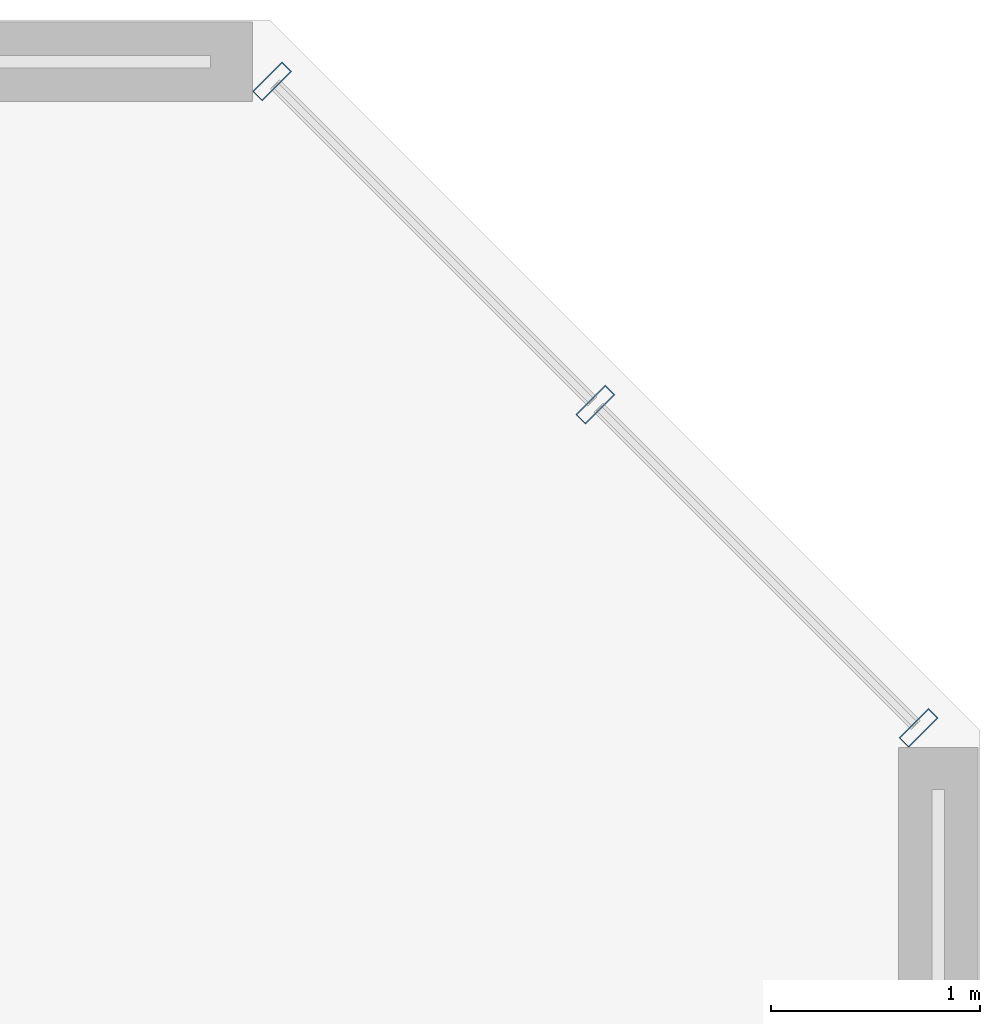
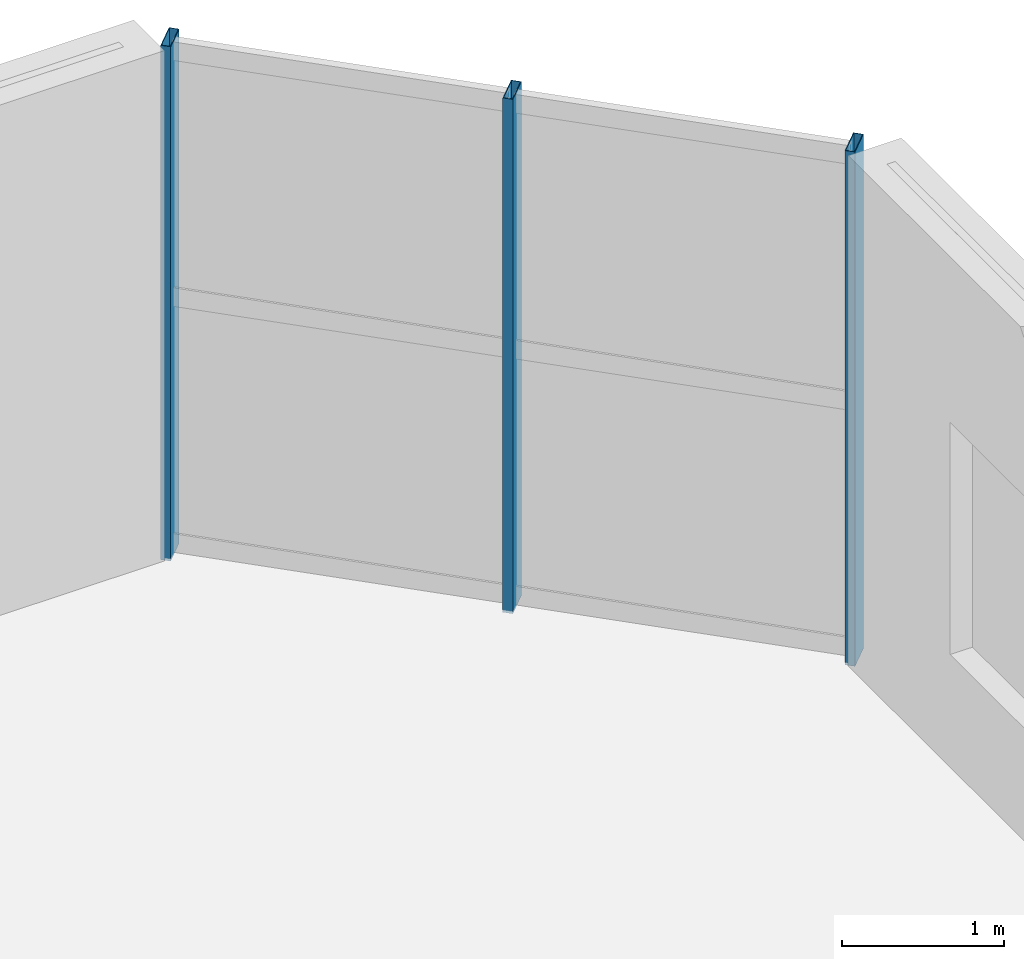
# One storey, part 8 of 22: 3 members, 1 element without a shape of its own.
"""IFC4 building model written with IfcOpenShell, lengths in metres."""

from ifc_helpers import new_model, si_unit, direction, frame, origin, origin_2d, place, context, subcontext, project, spatial, hollow_rectangle, extrude, source, transform, mapped, material, material_profile, profile_set, type_object, element, aggregate, save


model = new_model("IFC4")

# Units and contexts
model_context = context("Model", 3, precision=1e-05, world=origin(), true_north=direction((0.0, 1.0)))
body_context = subcontext(model_context, "Body", "Model", "MODEL_VIEW")
ifc_project = project(units=[si_unit("LENGTHUNIT", "METRE"), si_unit("AREAUNIT", "SQUARE_METRE"), si_unit("VOLUMEUNIT", "CUBIC_METRE"), si_unit("PLANEANGLEUNIT", "RADIAN"), si_unit("MASSUNIT", "GRAM", prefix="KILO")], contexts=[model_context])

# Site, building, storey
site_placement = place(None, origin())
site = spatial("IfcSite", under=ifc_project, at=site_placement, CompositionType="ELEMENT")
building_placement = place(site_placement, origin())
building = spatial("IfcBuilding", under=site, at=building_placement, Name="Tlacorven Tower", CompositionType="ELEMENT")
storey_placement = place(building_placement, frame((0.0, 0.0, 10.199951171875)))
storey = spatial("IfcBuildingStorey", under=building, at=storey_placement, Name="L02", CompositionType="ELEMENT", Elevation=10.199951171875)

# Curtain wall, members
ifc_material_1 = material(Name="Dark solar low-E double glazing in aluminium frame", Category="aluminium")
curtain_wall_type = type_object("IfcCurtainWallType", Name="CW-POD-CLINIC", PredefinedType="USERDEFINED", material=ifc_material_1)
curtain_wall_placement = place(storey_placement, origin())
curtain_wall = element("IfcCurtainWall", 1, at=curtain_wall_placement, inside=storey, type_object=curtain_wall_type, Name="L02 Podium Chamfer Curtain Wall 5", ObjectType="UNITISED CURTAIN WALL", PredefinedType="USERDEFINED")
ifc_material_2 = material(Name="Aluminium 6063-T6 anodised", Category="aluminium")
ifc_material_profile = material_profile(ifc_material_2, hollow_rectangle(XDim=0.06494140625, YDim=0.199951171875, WallThickness=0.00439453125, at=origin_2d()), Name="ALU MULLION 65X200")
ifc_profile_set = profile_set([ifc_material_profile], Name="Aluminium 6063-T6 anodised")
member_type = type_object("IfcMemberType", Name="CWM-02", PredefinedType="MULLION", material=ifc_profile_set)
shared_shape = source(origin(), body_context, "Body", "SweptSolid", [
    extrude(hollow_rectangle(XDim=0.06494140625, YDim=0.199951171875, WallThickness=0.00439453125, at=origin_2d()), origin(), (0.0, 0.0, 1.0), 3.880126953125),
])
member_1_placement = place(storey_placement, frame((67.2109375, 46.306396484375, -0.02001953125), z_axis=(0.0, 0.0, 1.0), x_axis=(0.707106781187, -0.707106781187, 0.0)))
member_1 = element("IfcMember", 2, at=member_1_placement, type_object=member_type, Name="CW-L02-011 Mullion 1", PredefinedType="MULLION", context=body_context, shape_type="MappedRepresentation", body=[
    mapped(shared_shape, transform((0.0, 0.0, 0.0), scale=1.0)),
])
member_2_placement = place(storey_placement, frame((68.758544921875, 44.758544921875, -0.02001953125), z_axis=(0.0, 0.0, 1.0), x_axis=(0.707106781187, -0.707106781187, 0.0)))
member_2 = element("IfcMember", 3, at=member_2_placement, type_object=member_type, Name="CW-L02-011 Mullion 2", PredefinedType="MULLION", context=body_context, shape_type="MappedRepresentation", body=[
    mapped(shared_shape, transform((0.0, 0.0, 0.0), scale=1.0)),
])
member_3_placement = place(storey_placement, frame((70.306396484375, 43.2109375, -0.02001953125), z_axis=(0.0, 0.0, 1.0), x_axis=(0.707106781187, -0.707106781187, 0.0)))
member_3 = element("IfcMember", 4, at=member_3_placement, type_object=member_type, Name="CW-L02-011 Mullion 3", PredefinedType="MULLION", context=body_context, shape_type="MappedRepresentation", body=[
    mapped(shared_shape, transform((0.0, 0.0, 0.0), scale=1.0)),
])
aggregate(curtain_wall, [member_1, member_2, member_3])

save(model, "model.ifc")
